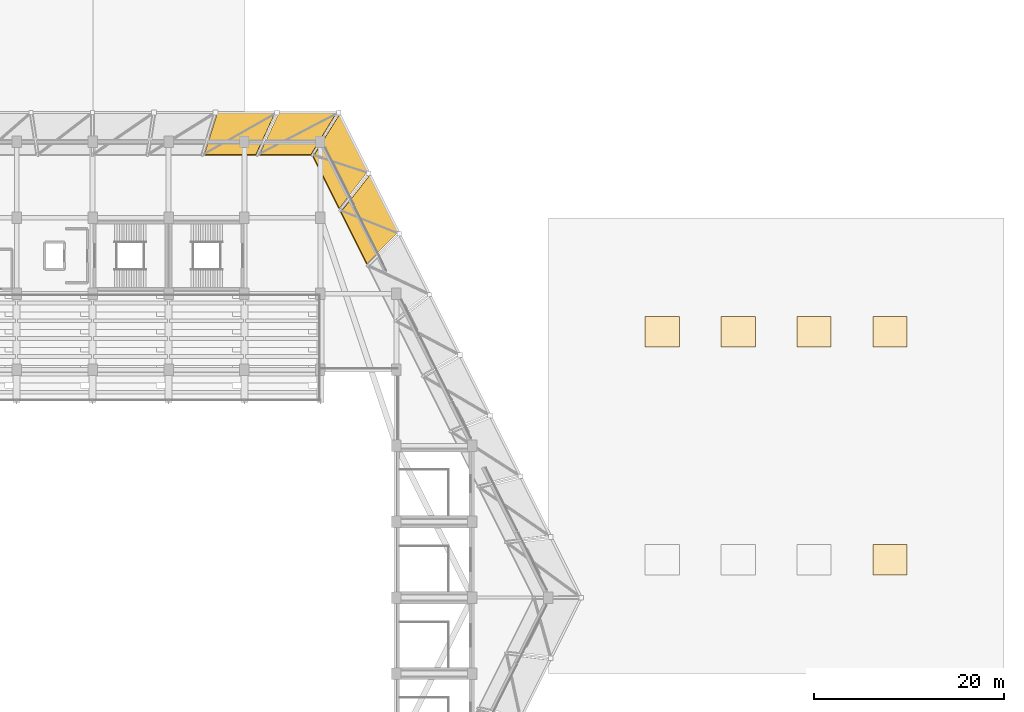
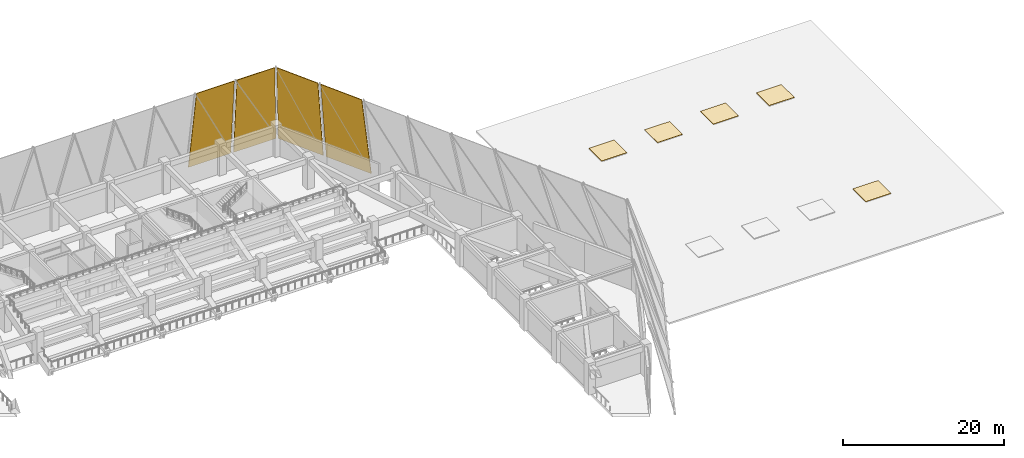
# One storey, part 24 of 24: 9 coverings.
"""IFC4 building model written with IfcOpenShell, lengths in metres."""

import ifcopenshell
import ifcopenshell.guid

model = None  # the IFC model being written
_history = None  # IfcOwnerHistory: only IFC2X3 demands one
_inside = {}  # id of a spatial element -> (the spatial element, [elements in it])
_under = {}  # id of a project, library or spatial element -> (it, [spatial elements below it])
_declared = {}  # id of a project -> (the project, [libraries it declares])
_typed = {}  # id of a type object -> (the type object, [elements of that type])
_made_of = {}  # id of a material, layer set ... -> (it, [elements and type objects made of it])


def new_model(schema):
    """Start an empty IFC model of exactly this schema.

    Asked for "IFC4X3", IfcOpenShell would pick the latest addendum, in which some entities
    have other attributes; the version numbers below select the first issue.
    IFC2X3 requires an IfcOwnerHistory on every rooted entity: one is made here for all.
    """
    global model, _history
    if schema == "IFC4X3":
        model = ifcopenshell.file(schema_version=(4, 3, 0, 0))
    else:
        model = ifcopenshell.file(schema=schema)
    _inside.clear()
    _under.clear()
    _declared.clear()
    _typed.clear()
    _made_of.clear()
    _history = None
    if model.schema == "IFC2X3":
        org = make("IfcOrganization", Name="unknown")
        user = make(
            "IfcPersonAndOrganization",
            ThePerson=make("IfcPerson", FamilyName="unknown"),
            TheOrganization=org,
        )
        app = make(
            "IfcApplication",
            ApplicationDeveloper=org,
            Version="unknown",
            ApplicationFullName="unknown",
            ApplicationIdentifier="unknown",
        )
        _history = make(
            "IfcOwnerHistory",
            OwningUser=user,
            OwningApplication=app,
            ChangeAction="ADDED",
            CreationDate=0,
        )
    return model


def make(cls, **values):
    """One entity of the class cls with the attributes given. An attribute that is None is left unset."""
    return model.create_entity(
        cls, **{name: value for name, value in values.items() if value is not None}
    )


def rooted(cls, **values):
    """An entity with a GlobalId (a new one), such as an element, a storey or a relation."""
    return make(cls, GlobalId=ifcopenshell.guid.new(), OwnerHistory=_history, **values)


def si_unit(unit_type, name, prefix=None):
    """IfcSIUnit, for example si_unit("LENGTHUNIT", "METRE", prefix="MILLI")."""
    return make("IfcSIUnit", UnitType=unit_type, Prefix=prefix, Name=name)


def assignment(units):
    """IfcUnitAssignment: the units of a project."""
    return None if units is None else make("IfcUnitAssignment", Units=units)


def point(xyz):
    """IfcCartesianPoint."""
    return None if xyz is None else make("IfcCartesianPoint", Coordinates=xyz)


def direction(xyz):
    """IfcDirection."""
    return None if xyz is None else make("IfcDirection", DirectionRatios=xyz)


def frame(location, z_axis=None, x_axis=None):
    """IfcAxis2Placement3D, a coordinate frame: its origin and axes. An axis left out is left unset."""
    return make(
        "IfcAxis2Placement3D",
        Location=point(location),
        Axis=direction(z_axis),
        RefDirection=direction(x_axis),
    )


def frame_2d(location, x_axis=None):
    """IfcAxis2Placement2D, a coordinate frame in the plane: its origin and x axis."""
    return make(
        "IfcAxis2Placement2D", Location=point(location), RefDirection=direction(x_axis)
    )


def origin():
    """The frame at (0, 0, 0) with its axes left unset."""
    return frame((0.0, 0.0, 0.0))


def origin_2d():
    """The frame at (0, 0) in the plane with its x axis left unset."""
    return frame_2d((0.0, 0.0))


def place(relative_to, where):
    """IfcLocalPlacement: puts the frame where relative to a parent placement (None: the world)."""
    return make(
        "IfcLocalPlacement", PlacementRelTo=relative_to, RelativePlacement=where
    )


def context(
    kind, dimensions, precision=None, world=None, true_north=None, identifier=None
):
    """IfcGeometricRepresentationContext, for example the 3D "Model" context."""
    return make(
        "IfcGeometricRepresentationContext",
        ContextIdentifier=identifier,
        ContextType=kind,
        CoordinateSpaceDimension=dimensions,
        Precision=precision,
        WorldCoordinateSystem=world,
        TrueNorth=true_north,
    )


def subcontext(parent, identifier, kind, view, scale=None):
    """IfcGeometricRepresentationSubContext, for example "Body" below "Model"."""
    return make(
        "IfcGeometricRepresentationSubContext",
        ContextIdentifier=identifier,
        ContextType=kind,
        ParentContext=parent,
        TargetScale=scale,
        TargetView=view,
    )


def project(units=None, contexts=None):
    """IfcProject with its units and contexts."""
    return rooted(
        "IfcProject",
        Name="project",
        RepresentationContexts=contexts,
        UnitsInContext=assignment(units),
    )


def spatial(cls, under=None, at=None, **own):
    """A site, building, storey or space (cls), placed at a placement, below another one or the project."""
    s = rooted(cls, ObjectPlacement=at, **own)
    if under is not None:
        _under.setdefault(under.id(), (under, []))[1].append(s)
    return s


def polyline(points):
    """IfcPolyline through the points."""
    return make("IfcPolyline", Points=[point(p) for p in points])


def profile(cls, at=None, kind="AREA", **sizes):
    """A parametric profile (cls). Its sizes go by their IFC names, for example OverallWidth=200.0."""
    return make(cls, ProfileType=kind, Position=at, **sizes)


def rectangle(**sizes):
    """IfcRectangleProfileDef."""
    return profile("IfcRectangleProfileDef", **sizes)


def outline(outer, holes=None, kind="AREA"):
    """IfcArbitraryClosedProfileDef: a profile drawn as a closed curve; with holes, ...WithVoids."""
    if holes is None:
        return make("IfcArbitraryClosedProfileDef", ProfileType=kind, OuterCurve=outer)
    return make(
        "IfcArbitraryProfileDefWithVoids",
        ProfileType=kind,
        OuterCurve=outer,
        InnerCurves=holes,
    )


def extrude(swept, where, along, depth):
    """IfcExtrudedAreaSolid: the profile swept, set in the frame where, extruded along a direction by depth."""
    return make(
        "IfcExtrudedAreaSolid",
        SweptArea=swept,
        Position=where,
        ExtrudedDirection=direction(along),
        Depth=depth,
    )


def shape(context_of_items, identifier, shape_type, items):
    """IfcShapeRepresentation: the items that make up one representation, for example the "Body"."""
    return make(
        "IfcShapeRepresentation",
        ContextOfItems=context_of_items,
        RepresentationIdentifier=identifier,
        RepresentationType=shape_type,
        Items=items,
    )


def material(Name=None, Category=None):
    """IfcMaterial."""
    return make("IfcMaterial", Name=Name, Category=Category)


def layer(
    of_material, thickness, ventilated=None, Name=None, Category=None, Priority=None
):
    """IfcMaterialLayer: one layer of a wall or slab, of a material (None: an air gap)."""
    return make(
        "IfcMaterialLayer",
        Material=of_material,
        LayerThickness=thickness,
        IsVentilated=ventilated,
        Name=Name,
        Category=Category,
        Priority=Priority,
    )


def layer_set(layers, Name=None):
    """IfcMaterialLayerSet."""
    return make("IfcMaterialLayerSet", MaterialLayers=layers, LayerSetName=Name)


def made_of(thing, what):
    """Note that an element or type object is made of a material, layer set ...; save() writes the relation."""
    if what is not None:
        _made_of.setdefault(what.id(), (what, []))[1].append(thing)
    return thing


def type_object(cls, material=None, **own):
    """A type object (cls), such as IfcWallType, which elements share."""
    return made_of(rooted(cls, **own), material)


def element(
    cls,
    number,
    at=None,
    inside=None,
    cuts=None,
    type_object=None,
    material=None,
    context=None,
    identifier="Body",
    shape_type=None,
    held_by="IfcProductDefinitionShape",
    body=None,
    shapes=None,
    **own,
):
    """One element of the class cls, such as IfcWall. Its Tag is "e" and its number.

    at: its placement. inside: the storey or other place that contains it. cuts: it is an
    opening in that element (IfcRelVoidsElement). A single representation is given by context,
    identifier, shape_type and body (its items); several are given by shapes. held_by: the class
    of the entity that holds the representations. save() writes the other relations.
    """
    e = rooted(cls, Tag="e%d" % number, ObjectPlacement=at, **own)
    if body is not None:
        shapes = [shape(context, identifier, shape_type, body)]
    if shapes is not None:
        e.Representation = make(held_by, Representations=shapes)
    if inside is not None:
        _inside.setdefault(inside.id(), (inside, []))[1].append(e)
    if cuts is not None:
        rooted(
            "IfcRelVoidsElement", RelatingBuildingElement=cuts, RelatedOpeningElement=e
        )
    if type_object is not None:
        _typed.setdefault(type_object.id(), (type_object, []))[1].append(e)
    return made_of(e, material)


def aggregate(whole, parts):
    """IfcRelAggregates: a whole, such as a stair, and the parts it consists of."""
    return rooted("IfcRelAggregates", RelatingObject=whole, RelatedObjects=parts)


def save(model, path):
    """Write the relations noted so far, then the file.

    IfcRelAggregates (storeys below a building ...), IfcRelContainedInSpatialStructure (elements
    in a storey), IfcRelDefinesByType, IfcRelAssociatesMaterial and IfcRelDeclares: one each for
    every whole, place, type object, material and project.
    """
    for whole, parts in _under.values():
        aggregate(whole, parts)
    for where, things in _inside.values():
        rooted(
            "IfcRelContainedInSpatialStructure",
            RelatedElements=things,
            RelatingStructure=where,
        )
    for kind, things in _typed.values():
        rooted("IfcRelDefinesByType", RelatedObjects=things, RelatingType=kind)
    for what, things in _made_of.values():
        rooted("IfcRelAssociatesMaterial", RelatedObjects=things, RelatingMaterial=what)
    for by, libraries in _declared.values():
        rooted("IfcRelDeclares", RelatingContext=by, RelatedDefinitions=libraries)
    model.write(path)


model = new_model("IFC4")

# Units and contexts
model_context = context("Model", 3, precision=1e-05, world=origin(), true_north=direction((0.0, 1.0)))
body_context = subcontext(model_context, "Body", "Model", "MODEL_VIEW")
ifc_project = project(units=[si_unit("LENGTHUNIT", "METRE"), si_unit("AREAUNIT", "SQUARE_METRE"), si_unit("VOLUMEUNIT", "CUBIC_METRE"), si_unit("PLANEANGLEUNIT", "RADIAN"), si_unit("MASSUNIT", "GRAM", prefix="KILO")], contexts=[model_context])

# Site, building, storey
site_placement = place(None, origin())
site = spatial("IfcSite", under=ifc_project, at=site_placement, CompositionType="ELEMENT")
building_placement = place(site_placement, origin())
building = spatial("IfcBuilding", under=site, at=building_placement, Name="Tazarka Park Arena", CompositionType="ELEMENT")
storey_placement = place(building_placement, frame((0.0, 0.0, 15.0)))
storey = spatial("IfcBuildingStorey", under=building, at=storey_placement, Name="L03", CompositionType="ELEMENT", Elevation=15.0)

# Coverings
ifc_material_1 = material(Name="Dark ribbed perforated bronze-charcoal aluminium mesh", Category="aluminium")
ifc_layer_1 = layer(ifc_material_1, 0.06005859375, Name="Dark ribbed perforated bronze-charcoal aluminium mesh")
ifc_layer_set_1 = layer_set([ifc_layer_1], Name="Dark ribbed perforated bronze-charcoal aluminium mesh")
covering_type_1 = type_object("IfcCoveringType", Name="CLD-01", PredefinedType="CLADDING", material=ifc_layer_set_1)
covering_1_placement = place(storey_placement, frame((120.201171875, 102.529296875, 0.0), z_axis=(0.854425702053, 0.427212851026, 0.295712528631), x_axis=(-0.447212317948, 0.894427829763, -4.614148e-06)))
element("IfcCovering", 1, at=covering_1_placement, inside=storey, type_object=covering_type_1, Name="Folded Gem Upper Ribbed Mesh Facet 023", PredefinedType="CLADDING", context=body_context, shape_type="SweptSolid", body=[
    extrude(outline(polyline([(0.0, 0.0), (6.684402037113722, -2.220446049250313e-16), (4.575241187277969, 15.053125207081868), (-1.5267786917189343, 15.053063446519374), (0.0, 0.0)])), origin(), (0.0, 0.0, -1.0), 0.080078125),
])
covering_2_placement = place(storey_placement, frame((117.00732421875, 108.9169921875, 0.0), z_axis=(0.854422620568, 0.427220430351, 0.295710482317), x_axis=(-0.447220565242, 0.894423706092, -2.41218e-06)))
element("IfcCovering", 2, at=covering_2_placement, inside=storey, type_object=covering_type_1, Name="Folded Gem Upper Ribbed Mesh Facet 024", PredefinedType="CLADDING", context=body_context, shape_type="SweptSolid", body=[
    extrude(outline(polyline([(0.0, 0.0), (6.6841836707999365, 0.0), (3.952970758206706, 15.053103107689404), (-2.149049121665114, 15.053070821129827), (0.0, 0.0)])), origin(), (0.0, 0.0, -1.0), 0.080078125),
])
covering_3_placement = place(storey_placement, frame((113.70849609375, 115.10009765625, 0.0), z_axis=(0.0, 0.955276509759, 0.295714033997), x_axis=(-1.0, 0.0, 0.0)))
element("IfcCovering", 3, at=covering_3_placement, inside=storey, type_object=covering_type_1, Name="Folded Gem Upper Ribbed Mesh Facet 025", PredefinedType="CLADDING", context=body_context, shape_type="SweptSolid", body=[
    extrude(outline(polyline([(0.0, 0.0), (6.064208984375, 0.0), (8.149658203125, 15.053110450846884), (2.72900390625, 15.053110450846884), (0.0, 0.0)])), origin(), (0.0, 0.0, -1.0), 0.080078125),
])
covering_4_placement = place(storey_placement, frame((107.2294921875, 115.10009765625, 0.0), z_axis=(0.0, 0.955276509759, 0.295714033997), x_axis=(-1.0, 0.0, 0.0)))
element("IfcCovering", 4, at=covering_4_placement, inside=storey, type_object=covering_type_1, Name="Folded Gem Upper Ribbed Mesh Facet 026", PredefinedType="CLADDING", context=body_context, shape_type="SweptSolid", body=[
    extrude(outline(polyline([(0.0, 0.0), (6.064208984375, 0.0), (7.4619140625, 15.053110450846884), (2.041259765625, 15.053110450846884), (0.0, 0.0)])), origin(), (0.0, 0.0, -1.0), 0.080078125),
])
ifc_material_2 = material(Name="Standing-seam acoustic aluminium roofing membrane", Category="aluminium")
ifc_layer_2 = layer(ifc_material_2, 0.050048828125, Name="Standing-seam acoustic aluminium roofing membrane")
ifc_layer_set_2 = layer_set([ifc_layer_2], Name="Standing-seam acoustic aluminium roofing membrane")
covering_type_2 = type_object("IfcCoveringType", Name="RFG-01", PredefinedType="ROOFING", material=ifc_layer_set_2)
for number, where, z_axis, x_axis, name in (
    (5, (148.0, 92.0, 0.06005859375), (0.0, 0.0, 1.0), (1.0, 0.0, 0.0), "Warm-Up Hall Standing-Seam Membrane 02"),
    (6, (156.0, 92.0, 0.06005859375), (0.0, 0.0, 1.0), (1.0, 0.0, 0.0), "Warm-Up Hall Standing-Seam Membrane 04"),
    (7, (164.0, 92.0, 0.06005859375), (0.0, 0.0, 1.0), (1.0, 0.0, 0.0), "Warm-Up Hall Standing-Seam Membrane 06"),
    (8, (172.0, 68.0, 0.06005859375), (0.0, 0.0, 1.0), (1.0, 0.0, 0.0), "Warm-Up Hall Standing-Seam Membrane 07"),
    (9, (172.0, 92.0, 0.06005859375), (0.0, 0.0, 1.0), (1.0, 0.0, 0.0), "Warm-Up Hall Standing-Seam Membrane 08"),
):
    element("IfcCovering", number, at=place(storey_placement, frame(where, z_axis=z_axis, x_axis=x_axis)), inside=storey, type_object=covering_type_2, Name=name, PredefinedType="ROOFING", context=body_context, shape_type="SweptSolid", body=[
        extrude(rectangle(XDim=3.60009765625, YDim=3.199951171875, at=origin_2d()), origin(), (0.0, 0.0, 1.0), 0.050048828125),
    ])

save(model, "model.ifc")
